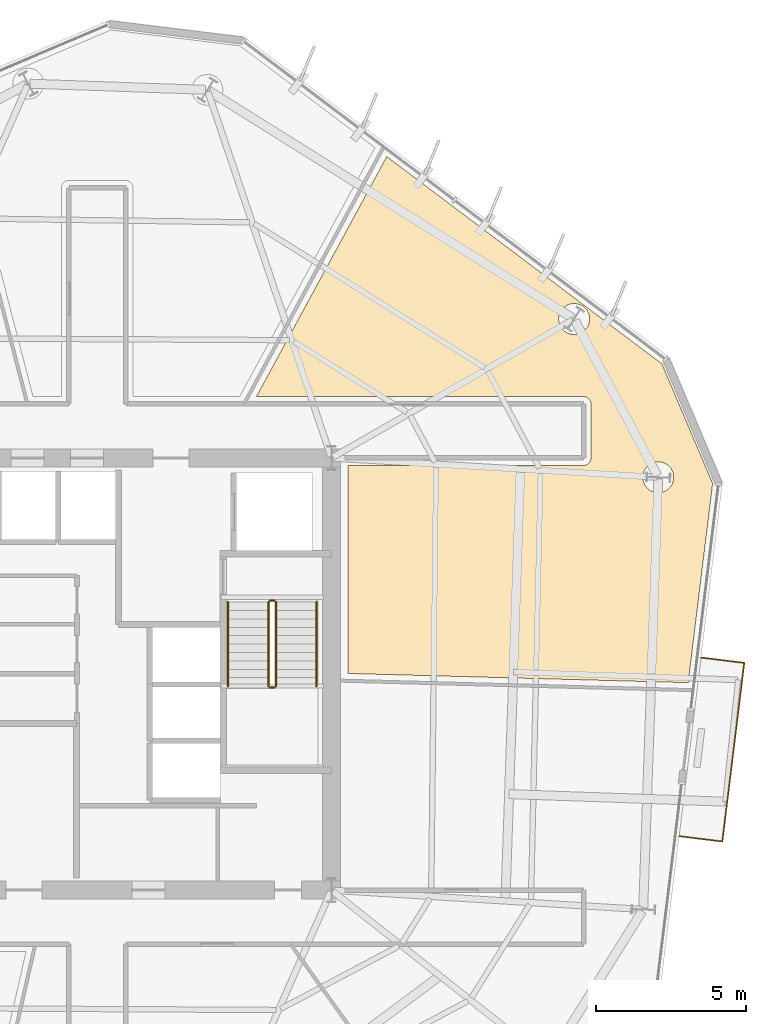
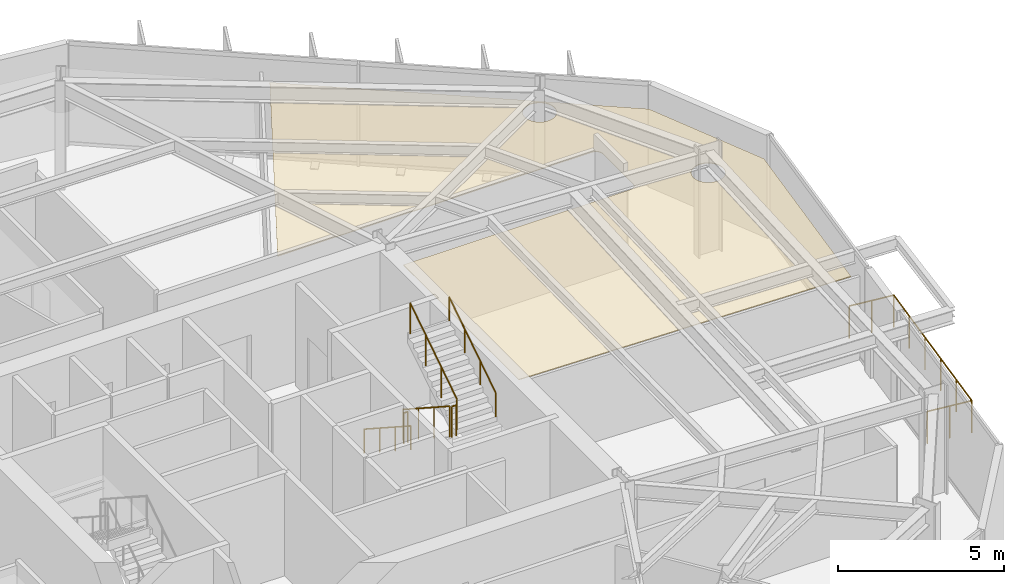
# One storey, part 10 of 11: 7 railings, 1 covering.
"""IFC4 building model written with IfcOpenShell, lengths in metres."""

from ifc_helpers import new_model, si_unit, direction, frame, origin, origin_2d, place, context, subcontext, project, spatial, polyline, circle, outline, extrude, material, layer, layer_set, type_object, element, save


model = new_model("IFC4")

# Units and contexts
model_context = context("Model", 3, precision=1e-05, world=origin(), true_north=direction((0.0, 1.0)))
body_context = subcontext(model_context, "Body", "Model", "MODEL_VIEW")
ifc_project = project(units=[si_unit("LENGTHUNIT", "METRE"), si_unit("AREAUNIT", "SQUARE_METRE"), si_unit("VOLUMEUNIT", "CUBIC_METRE"), si_unit("PLANEANGLEUNIT", "RADIAN"), si_unit("MASSUNIT", "GRAM", prefix="KILO")], contexts=[model_context])

# Site, building, storey
site_placement = place(None, origin())
site = spatial("IfcSite", under=ifc_project, at=site_placement, CompositionType="ELEMENT")
building_placement = place(site_placement, origin())
building = spatial("IfcBuilding", under=site, at=building_placement, Name="Kranzbogen Civic Tower", CompositionType="ELEMENT")
storey_placement = place(building_placement, frame((0.0, 0.0, 114.39990234375)))
storey = spatial("IfcBuildingStorey", under=building, at=storey_placement, Name="L27", CompositionType="ELEMENT", Elevation=114.39990234375)

# Railings
ifc_material_1 = material(Name="Anodised Bronze Aluminium", Category="aluminium")
railing_type_1 = type_object("IfcRailingType", Name="Cantilevered Balcony Glass and Bronze Balustrade 1200", PredefinedType="BALUSTRADE", material=ifc_material_1)
railing_1_placement = place(storey_placement, frame((44.385986328125, 19.596923828125, 0.0)))
element("IfcRailing", 1, at=railing_1_placement, inside=storey, type_object=railing_type_1, Name="L27 exterior terrace balustrade L27-TB2", PredefinedType="BALUSTRADE", context=body_context, shape_type="SweptSolid", body=[
    extrude(circle(Radius=0.02392578125, at=origin_2d()), frame((0.0, 0.0, 1.17578125), z_axis=(0.992519489123, -0.122086296168, 0.0), x_axis=(0.122086296168, 0.992519489123, 0.0)), (0.0, 0.0, 1.0), 1.44970703125),
    extrude(circle(Radius=0.02392578125, at=origin_2d()), frame((1.43896484375, -0.177001953125, 1.17578125), z_axis=(0.121830819037, 0.99255088108, 0.0), x_axis=(-0.99255088108, 0.121830819037, 0.0)), (0.0, 0.0, 1.0), 5.999755859375),
    extrude(circle(Radius=0.02392578125, at=origin_2d()), frame((2.169921875, 5.778076171875, 1.17578125), z_axis=(-0.992519489123, 0.122086296168, 0.0), x_axis=(-0.122086296168, -0.992519489123, 0.0)), (0.0, 0.0, 1.0), 1.44970703125),
    extrude(circle(Radius=0.02099609375, at=origin_2d()), origin(), (0.0, 0.0, 1.0), 1.15185546875),
    extrude(circle(Radius=0.02099609375, at=origin_2d()), frame((0.719482421875, -0.08837890625, 0.0)), (0.0, 0.0, 1.0), 1.15185546875),
    extrude(circle(Radius=0.02099609375, at=origin_2d()), frame((1.43896484375, -0.177001953125, 0.0)), (0.0, 0.0, 1.0), 1.15185546875),
    extrude(circle(Radius=0.02099609375, at=origin_2d()), frame((1.585205078125, 1.013916015625, 0.0)), (0.0, 0.0, 1.0), 1.15185546875),
    extrude(circle(Radius=0.02099609375, at=origin_2d()), frame((1.7314453125, 2.205078125, 0.0)), (0.0, 0.0, 1.0), 1.15185546875),
    extrude(circle(Radius=0.02099609375, at=origin_2d()), frame((1.87744140625, 3.39599609375, 0.0)), (0.0, 0.0, 1.0), 1.15185546875),
    extrude(circle(Radius=0.02099609375, at=origin_2d()), frame((2.023681640625, 4.587158203125, 0.0)), (0.0, 0.0, 1.0), 1.15185546875),
    extrude(circle(Radius=0.02099609375, at=origin_2d()), frame((2.169921875, 5.778076171875, 0.0)), (0.0, 0.0, 1.0), 1.15185546875),
    extrude(circle(Radius=0.02099609375, at=origin_2d()), frame((1.450439453125, 5.86669921875, 0.0)), (0.0, 0.0, 1.0), 1.15185546875),
    extrude(circle(Radius=0.02099609375, at=origin_2d()), frame((0.73095703125, 5.955078125, 0.0)), (0.0, 0.0, 1.0), 1.15185546875),
])
ifc_material_2 = material(Name="Steel S355", Category="steel")
railing_type_2 = type_object("IfcRailingType", Name="Internal Stair and Void Steel Guardrail 1150", PredefinedType="GUARDRAIL", material=ifc_material_2)
railing_2_placement = place(storey_placement, frame((30.699951171875, 27.39990234375, 0.181884765625)))
element("IfcRailing", 2, at=railing_2_placement, inside=storey, type_object=railing_type_2, Name="L27 ST-T2 stair guard 1", PredefinedType="GUARDRAIL", context=body_context, shape_type="SweptSolid", body=[
    extrude(circle(Radius=0.02392578125, at=origin_2d()), frame((0.0, 0.0, 1.1259765625), z_axis=(0.0, -0.83868413941, 0.544618136222), x_axis=(1.0, 0.0, 0.0)), (0.0, 0.0, 1.0), 3.33837890625),
    extrude(circle(Radius=0.02099609375, at=origin_2d()), origin(), (0.0, 0.0, 1.0), 1.101806640625),
    extrude(circle(Radius=0.02099609375, at=origin_2d()), frame((0.0, -0.933349609375, 0.60595703125)), (0.0, 0.0, 1.0), 1.101806640625),
    extrude(circle(Radius=0.02099609375, at=origin_2d()), frame((0.0, -1.866455078125, 1.212158203125)), (0.0, 0.0, 1.0), 1.101806640625),
    extrude(circle(Radius=0.02099609375, at=origin_2d()), frame((0.0, -2.7998046875, 1.818115234375)), (0.0, 0.0, 1.0), 1.101806640625),
])
railing_3_placement = place(storey_placement, frame((30.75, 24.550048828125, 2.0)))
element("IfcRailing", 3, at=railing_3_placement, inside=storey, type_object=railing_type_2, Name="L27 ST-T2 stair guard 2", PredefinedType="GUARDRAIL", context=body_context, shape_type="SweptSolid", body=[
    extrude(circle(Radius=0.02392578125, at=origin_2d()), frame((0.0, 0.0, 1.1259765625), z_axis=(1.0, 0.0, 0.0), x_axis=(0.0, 1.0, 0.0)), (0.0, 0.0, 1.0), 0.14990234375),
    extrude(circle(Radius=0.02099609375, at=origin_2d()), origin(), (0.0, 0.0, 1.0), 1.101806640625),
    extrude(circle(Radius=0.02099609375, at=origin_2d()), frame((0.14990234375, 0.0, 0.0)), (0.0, 0.0, 1.0), 1.101806640625),
])
railing_4_placement = place(storey_placement, frame((30.949951171875, 24.60009765625, 2.181884765625)))
element("IfcRailing", 4, at=railing_4_placement, inside=storey, type_object=railing_type_2, Name="L27 ST-T2 stair guard 3", PredefinedType="GUARDRAIL", context=body_context, shape_type="SweptSolid", body=[
    extrude(circle(Radius=0.02392578125, at=origin_2d()), frame((0.0, 0.0, 1.1259765625), z_axis=(0.0, 0.83868413941, 0.544618136222), x_axis=(-1.0, 0.0, 0.0)), (0.0, 0.0, 1.0), 3.33837890625),
    extrude(circle(Radius=0.02099609375, at=origin_2d()), origin(), (0.0, 0.0, 1.0), 1.101806640625),
    extrude(circle(Radius=0.02099609375, at=origin_2d()), frame((0.0, 0.933349609375, 0.60595703125)), (0.0, 0.0, 1.0), 1.101806640625),
    extrude(circle(Radius=0.02099609375, at=origin_2d()), frame((0.0, 1.866455078125, 1.212158203125)), (0.0, 0.0, 1.0), 1.101806640625),
    extrude(circle(Radius=0.02099609375, at=origin_2d()), frame((0.0, 2.7998046875, 1.818115234375)), (0.0, 0.0, 1.0), 1.101806640625),
])
railing_5_placement = place(storey_placement, frame((30.75, 27.449951171875, 0.0)))
element("IfcRailing", 5, at=railing_5_placement, inside=storey, type_object=railing_type_2, Name="L27 ST-T2 stair guard 4", PredefinedType="GUARDRAIL", context=body_context, shape_type="SweptSolid", body=[
    extrude(circle(Radius=0.02392578125, at=origin_2d()), frame((0.0, 0.0, 1.1259765625), z_axis=(1.0, 0.0, 0.0), x_axis=(0.0, 1.0, 0.0)), (0.0, 0.0, 1.0), 0.14990234375),
    extrude(circle(Radius=0.02099609375, at=origin_2d()), origin(), (0.0, 0.0, 1.0), 1.101806640625),
    extrude(circle(Radius=0.02099609375, at=origin_2d()), frame((0.14990234375, 0.0, 0.0)), (0.0, 0.0, 1.0), 1.101806640625),
])

# Covering
ifc_material_3 = material(Name="Perforated Acoustic Gypsum Ceiling")
ifc_layer = layer(ifc_material_3, 0.02490234375, Name="Perforated Acoustic Gypsum Ceiling")
ifc_layer_set = layer_set([ifc_layer], Name="Perforated Acoustic Gypsum Ceiling")
covering_type = type_object("IfcCoveringType", Name="Perforated Acoustic Mineral Ceiling Tile 25 mm", PredefinedType="CEILING", material=ifc_layer_set)
covering_placement = place(storey_placement, frame((0.0, 0.0, 2.900146484375)))
element("IfcCovering", 6, at=covering_placement, inside=storey, type_object=covering_type, Name="L27 Policy Seminar Room acoustic ceiling", PredefinedType="CEILING", context=body_context, shape_type="SweptSolid", body=[
    extrude(outline(polyline([(41.199951171875, 31.955078125), (41.208984375, 31.955078125), (41.215087890625, 31.9560546875), (41.23291015625, 31.95703125), (41.239013671875, 31.9580078125), (41.256103515625, 31.9619140625), (41.262939453125, 31.962890625), (41.280029296875, 31.968017578125), (41.285888671875, 31.969970703125), (41.302001953125, 31.97705078125), (41.30810546875, 31.97998046875), (41.322998046875, 31.988037109375), (41.3291015625, 31.991943359375), (41.343017578125, 32.0009765625), (41.347900390625, 32.0048828125), (41.362060546875, 32.01611328125), (41.366943359375, 32.02099609375), (41.37890625, 32.032958984375), (41.384033203125, 32.0380859375), (41.39501953125, 32.052001953125), (41.39892578125, 32.056884765625), (41.407958984375, 32.071044921875), (41.412109375, 32.076904296875), (41.419921875, 32.092041015625), (41.423095703125, 32.097900390625), (41.429931640625, 32.114013671875), (41.431884765625, 32.1201171875), (41.43701171875, 32.136962890625), (41.43798828125, 32.14404296875), (41.44189453125, 32.160888671875), (41.443115234375, 32.1669921875), (41.444091796875, 32.18505859375), (41.445068359375, 32.19091796875), (41.445068359375, 32.199951171875), (41.445068359375, 34.0), (41.445068359375, 34.009033203125), (41.444091796875, 34.014892578125), (41.443115234375, 34.032958984375), (41.44189453125, 34.0390625), (41.43798828125, 34.055908203125), (41.43701171875, 34.06298828125), (41.431884765625, 34.080078125), (41.429931640625, 34.0859375), (41.423095703125, 34.10205078125), (41.419921875, 34.10791015625), (41.412109375, 34.123046875), (41.407958984375, 34.12890625), (41.39892578125, 34.14306640625), (41.39501953125, 34.14794921875), (41.384033203125, 34.162109375), (41.37890625, 34.1669921875), (41.366943359375, 34.178955078125), (41.362060546875, 34.18408203125), (41.347900390625, 34.195068359375), (41.343017578125, 34.198974609375), (41.3291015625, 34.2080078125), (41.322998046875, 34.2119140625), (41.30810546875, 34.219970703125), (41.302001953125, 34.222900390625), (41.285888671875, 34.22998046875), (41.280029296875, 34.23193359375), (41.262939453125, 34.237060546875), (41.256103515625, 34.238037109375), (41.239013671875, 34.241943359375), (41.23291015625, 34.242919921875), (41.215087890625, 34.243896484375), (41.208984375, 34.2451171875), (41.199951171875, 34.2451171875), (30.301025390625, 34.2451171875), (34.64501953125, 42.241943359375), (43.81201171875, 35.3349609375), (45.501953125, 31.35302734375), (44.68701171875, 24.714111328125), (33.344970703125, 25.02001953125), (33.344970703125, 31.955078125), (41.199951171875, 31.955078125)]), holes=[polyline([(44.1650390625, 31.35888671875), (44.14404296875, 31.31396484375), (44.117919921875, 31.27001953125), (44.087890625, 31.22998046875), (44.053955078125, 31.19189453125), (44.01611328125, 31.157958984375), (43.97607421875, 31.1279296875), (43.931884765625, 31.10205078125), (43.886962890625, 31.0810546875), (43.839111328125, 31.06396484375), (43.7900390625, 31.052001953125), (43.739990234375, 31.0439453125), (43.68994140625, 31.0419921875), (43.639892578125, 31.0439453125), (43.590087890625, 31.052001953125), (43.541015625, 31.06396484375), (43.492919921875, 31.0810546875), (43.447998046875, 31.10205078125), (43.404052734375, 31.1279296875), (43.364013671875, 31.157958984375), (43.325927734375, 31.19189453125), (43.2919921875, 31.22998046875), (43.261962890625, 31.27001953125), (43.236083984375, 31.31396484375), (43.215087890625, 31.35888671875), (43.197998046875, 31.406982421875), (43.18603515625, 31.4560546875), (43.177978515625, 31.506103515625), (43.176025390625, 31.555908203125), (43.177978515625, 31.60595703125), (43.18603515625, 31.656005859375), (43.197998046875, 31.705078125), (43.215087890625, 31.7529296875), (43.236083984375, 31.798095703125), (43.261962890625, 31.842041015625), (43.2919921875, 31.882080078125), (43.325927734375, 31.919921875), (43.364013671875, 31.9541015625), (43.404052734375, 31.98388671875), (43.447998046875, 32.010009765625), (43.492919921875, 32.031005859375), (43.541015625, 32.048095703125), (43.590087890625, 32.06005859375), (43.639892578125, 32.068115234375), (43.68994140625, 32.070068359375), (43.739990234375, 32.068115234375), (43.7900390625, 32.06005859375), (43.839111328125, 32.048095703125), (43.886962890625, 32.031005859375), (43.931884765625, 32.010009765625), (43.97607421875, 31.98388671875), (44.01611328125, 31.9541015625), (44.053955078125, 31.919921875), (44.087890625, 31.882080078125), (44.117919921875, 31.842041015625), (44.14404296875, 31.798095703125), (44.1650390625, 31.7529296875), (44.181884765625, 31.705078125), (44.194091796875, 31.656005859375), (44.201904296875, 31.60595703125), (44.2041015625, 31.555908203125), (44.201904296875, 31.506103515625), (44.194091796875, 31.4560546875), (44.181884765625, 31.406982421875), (44.1650390625, 31.35888671875)]), polyline([(41.361083984375, 36.632080078125), (41.340087890625, 36.5869140625), (41.31396484375, 36.54296875), (41.283935546875, 36.5029296875), (41.25, 36.465087890625), (41.2119140625, 36.430908203125), (41.172119140625, 36.40087890625), (41.1279296875, 36.375), (41.0830078125, 36.35400390625), (41.034912109375, 36.3369140625), (40.986083984375, 36.324951171875), (40.93603515625, 36.31689453125), (40.885986328125, 36.31494140625), (40.8359375, 36.31689453125), (40.785888671875, 36.324951171875), (40.737060546875, 36.3369140625), (40.68896484375, 36.35400390625), (40.64404296875, 36.375), (40.60009765625, 36.40087890625), (40.56005859375, 36.430908203125), (40.52197265625, 36.465087890625), (40.488037109375, 36.5029296875), (40.4580078125, 36.54296875), (40.431884765625, 36.5869140625), (40.410888671875, 36.632080078125), (40.39404296875, 36.679931640625), (40.382080078125, 36.72900390625), (40.3740234375, 36.779052734375), (40.3720703125, 36.8291015625), (40.3740234375, 36.87890625), (40.382080078125, 36.928955078125), (40.39404296875, 36.97802734375), (40.410888671875, 37.02587890625), (40.431884765625, 37.071044921875), (40.4580078125, 37.114990234375), (40.488037109375, 37.155029296875), (40.52197265625, 37.193115234375), (40.56005859375, 37.22705078125), (40.60009765625, 37.257080078125), (40.64404296875, 37.282958984375), (40.68896484375, 37.303955078125), (40.737060546875, 37.321044921875), (40.785888671875, 37.3330078125), (40.8359375, 37.341064453125), (40.885986328125, 37.343017578125), (40.93603515625, 37.341064453125), (40.986083984375, 37.3330078125), (41.034912109375, 37.321044921875), (41.0830078125, 37.303955078125), (41.1279296875, 37.282958984375), (41.172119140625, 37.257080078125), (41.2119140625, 37.22705078125), (41.25, 37.193115234375), (41.283935546875, 37.155029296875), (41.31396484375, 37.114990234375), (41.340087890625, 37.071044921875), (41.361083984375, 37.02587890625), (41.3779296875, 36.97802734375), (41.389892578125, 36.928955078125), (41.39794921875, 36.87890625), (41.39990234375, 36.8291015625), (41.39794921875, 36.779052734375), (41.389892578125, 36.72900390625), (41.3779296875, 36.679931640625), (41.361083984375, 36.632080078125)])]), origin(), (0.0, 0.0, 1.0), 0.02490234375),
])

# Railings
ifc_material_4 = material(Name="Pale Anodised Aluminium", Category="aluminium")
railing_type_3 = type_object("IfcRailingType", Name="Tubular Stainless Stair Wall Handrail 900", PredefinedType="HANDRAIL", material=ifc_material_4)
railing_6_placement = place(storey_placement, frame((29.35009765625, 27.39990234375, 0.181884765625)))
element("IfcRailing", 7, at=railing_6_placement, inside=storey, type_object=railing_type_3, Name="L27 ST-T2 stair handrail 1", PredefinedType="HANDRAIL", context=body_context, shape_type="SweptSolid", body=[
    extrude(circle(Radius=0.02392578125, at=origin_2d()), frame((0.0, 0.0, 0.8759765625), z_axis=(0.0, -0.83868413941, 0.544618136222), x_axis=(1.0, 0.0, 0.0)), (0.0, 0.0, 1.0), 3.33837890625),
    extrude(circle(Radius=0.02099609375, at=origin_2d()), origin(), (0.0, 0.0, 1.0), 0.851806640625),
    extrude(circle(Radius=0.02099609375, at=origin_2d()), frame((0.0, -0.933349609375, 0.60595703125)), (0.0, 0.0, 1.0), 0.851806640625),
    extrude(circle(Radius=0.02099609375, at=origin_2d()), frame((0.0, -1.866455078125, 1.212158203125)), (0.0, 0.0, 1.0), 0.851806640625),
    extrude(circle(Radius=0.02099609375, at=origin_2d()), frame((0.0, -2.7998046875, 1.818115234375)), (0.0, 0.0, 1.0), 0.851806640625),
])
railing_7_placement = place(storey_placement, frame((32.300048828125, 24.60009765625, 2.181884765625)))
element("IfcRailing", 8, at=railing_7_placement, inside=storey, type_object=railing_type_3, Name="L27 ST-T2 stair handrail 2", PredefinedType="HANDRAIL", context=body_context, shape_type="SweptSolid", body=[
    extrude(circle(Radius=0.02392578125, at=origin_2d()), frame((0.0, 0.0, 0.8759765625), z_axis=(0.0, 0.83868413941, 0.544618136222), x_axis=(-1.0, 0.0, 0.0)), (0.0, 0.0, 1.0), 3.33837890625),
    extrude(circle(Radius=0.02099609375, at=origin_2d()), origin(), (0.0, 0.0, 1.0), 0.851806640625),
    extrude(circle(Radius=0.02099609375, at=origin_2d()), frame((0.0, 0.933349609375, 0.60595703125)), (0.0, 0.0, 1.0), 0.851806640625),
    extrude(circle(Radius=0.02099609375, at=origin_2d()), frame((0.0, 1.866455078125, 1.212158203125)), (0.0, 0.0, 1.0), 0.851806640625),
    extrude(circle(Radius=0.02099609375, at=origin_2d()), frame((0.0, 2.7998046875, 1.818115234375)), (0.0, 0.0, 1.0), 0.851806640625),
])

save(model, "model.ifc")
